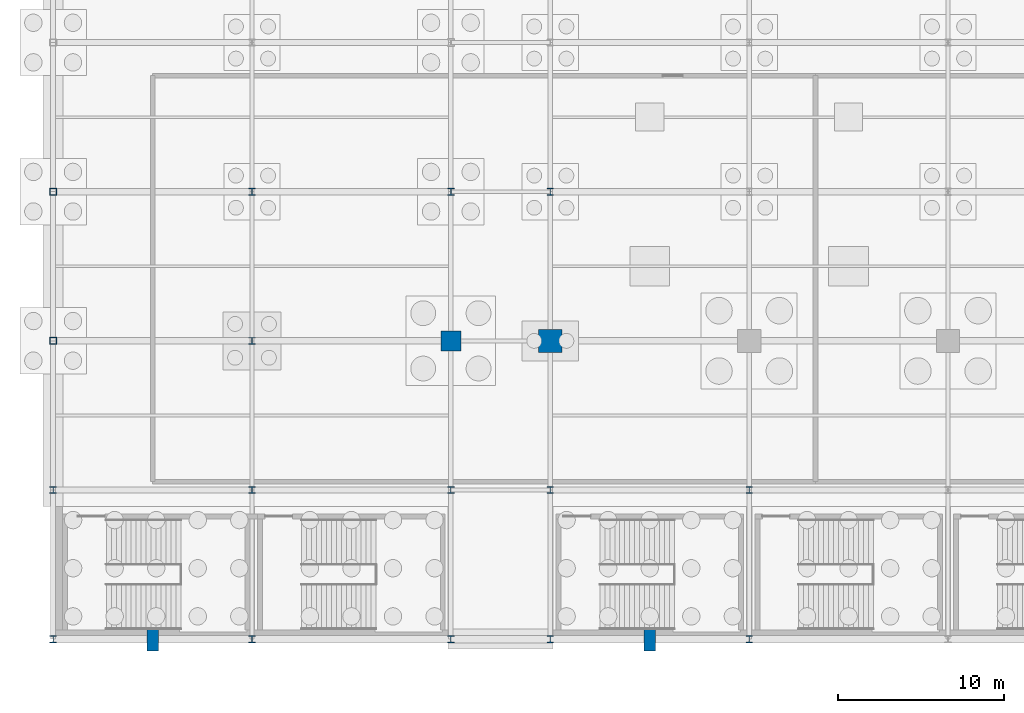
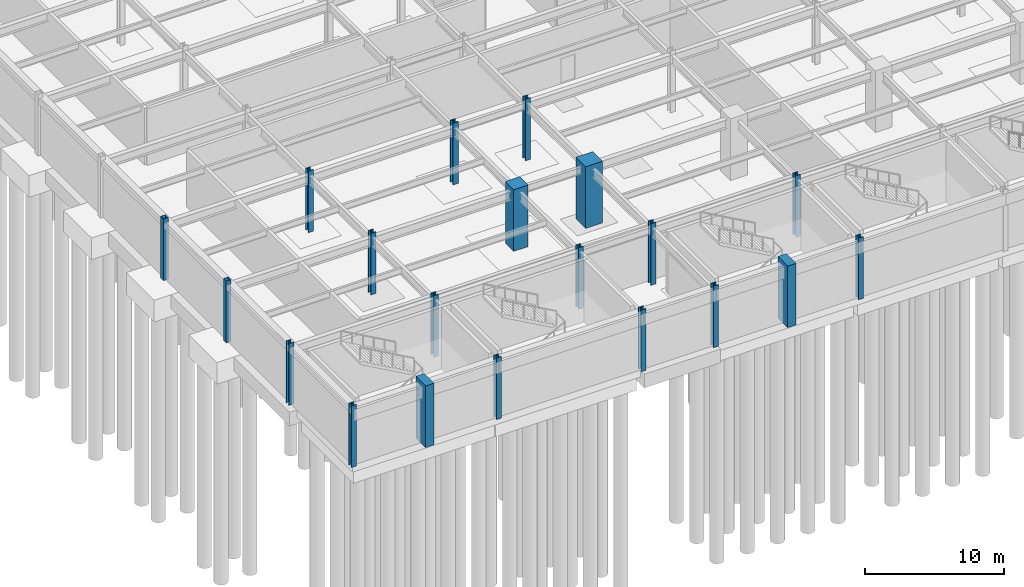
# One storey, part 8 of 47: 20 columns.
"""IFC4 building model written with IfcOpenShell, lengths in metres."""

import ifcopenshell
import ifcopenshell.guid

model = None  # the IFC model being written
_history = None  # IfcOwnerHistory: only IFC2X3 demands one
_inside = {}  # id of a spatial element -> (the spatial element, [elements in it])
_under = {}  # id of a project, library or spatial element -> (it, [spatial elements below it])
_declared = {}  # id of a project -> (the project, [libraries it declares])
_typed = {}  # id of a type object -> (the type object, [elements of that type])
_made_of = {}  # id of a material, layer set ... -> (it, [elements and type objects made of it])


def new_model(schema):
    """Start an empty IFC model of exactly this schema.

    Asked for "IFC4X3", IfcOpenShell would pick the latest addendum, in which some entities
    have other attributes; the version numbers below select the first issue.
    IFC2X3 requires an IfcOwnerHistory on every rooted entity: one is made here for all.
    """
    global model, _history
    if schema == "IFC4X3":
        model = ifcopenshell.file(schema_version=(4, 3, 0, 0))
    else:
        model = ifcopenshell.file(schema=schema)
    _inside.clear()
    _under.clear()
    _declared.clear()
    _typed.clear()
    _made_of.clear()
    _history = None
    if model.schema == "IFC2X3":
        org = make("IfcOrganization", Name="unknown")
        user = make(
            "IfcPersonAndOrganization",
            ThePerson=make("IfcPerson", FamilyName="unknown"),
            TheOrganization=org,
        )
        app = make(
            "IfcApplication",
            ApplicationDeveloper=org,
            Version="unknown",
            ApplicationFullName="unknown",
            ApplicationIdentifier="unknown",
        )
        _history = make(
            "IfcOwnerHistory",
            OwningUser=user,
            OwningApplication=app,
            ChangeAction="ADDED",
            CreationDate=0,
        )
    return model


def make(cls, **values):
    """One entity of the class cls with the attributes given. An attribute that is None is left unset."""
    return model.create_entity(
        cls, **{name: value for name, value in values.items() if value is not None}
    )


def rooted(cls, **values):
    """An entity with a GlobalId (a new one), such as an element, a storey or a relation."""
    return make(cls, GlobalId=ifcopenshell.guid.new(), OwnerHistory=_history, **values)


def si_unit(unit_type, name, prefix=None):
    """IfcSIUnit, for example si_unit("LENGTHUNIT", "METRE", prefix="MILLI")."""
    return make("IfcSIUnit", UnitType=unit_type, Prefix=prefix, Name=name)


def assignment(units):
    """IfcUnitAssignment: the units of a project."""
    return None if units is None else make("IfcUnitAssignment", Units=units)


def point(xyz):
    """IfcCartesianPoint."""
    return None if xyz is None else make("IfcCartesianPoint", Coordinates=xyz)


def direction(xyz):
    """IfcDirection."""
    return None if xyz is None else make("IfcDirection", DirectionRatios=xyz)


def frame(location, z_axis=None, x_axis=None):
    """IfcAxis2Placement3D, a coordinate frame: its origin and axes. An axis left out is left unset."""
    return make(
        "IfcAxis2Placement3D",
        Location=point(location),
        Axis=direction(z_axis),
        RefDirection=direction(x_axis),
    )


def frame_2d(location, x_axis=None):
    """IfcAxis2Placement2D, a coordinate frame in the plane: its origin and x axis."""
    return make(
        "IfcAxis2Placement2D", Location=point(location), RefDirection=direction(x_axis)
    )


def origin():
    """The frame at (0, 0, 0) with its axes left unset."""
    return frame((0.0, 0.0, 0.0))


def origin_2d():
    """The frame at (0, 0) in the plane with its x axis left unset."""
    return frame_2d((0.0, 0.0))


def place(relative_to, where):
    """IfcLocalPlacement: puts the frame where relative to a parent placement (None: the world)."""
    return make(
        "IfcLocalPlacement", PlacementRelTo=relative_to, RelativePlacement=where
    )


def context(
    kind, dimensions, precision=None, world=None, true_north=None, identifier=None
):
    """IfcGeometricRepresentationContext, for example the 3D "Model" context."""
    return make(
        "IfcGeometricRepresentationContext",
        ContextIdentifier=identifier,
        ContextType=kind,
        CoordinateSpaceDimension=dimensions,
        Precision=precision,
        WorldCoordinateSystem=world,
        TrueNorth=true_north,
    )


def subcontext(parent, identifier, kind, view, scale=None):
    """IfcGeometricRepresentationSubContext, for example "Body" below "Model"."""
    return make(
        "IfcGeometricRepresentationSubContext",
        ContextIdentifier=identifier,
        ContextType=kind,
        ParentContext=parent,
        TargetScale=scale,
        TargetView=view,
    )


def project(units=None, contexts=None):
    """IfcProject with its units and contexts."""
    return rooted(
        "IfcProject",
        Name="project",
        RepresentationContexts=contexts,
        UnitsInContext=assignment(units),
    )


def spatial(cls, under=None, at=None, **own):
    """A site, building, storey or space (cls), placed at a placement, below another one or the project."""
    s = rooted(cls, ObjectPlacement=at, **own)
    if under is not None:
        _under.setdefault(under.id(), (under, []))[1].append(s)
    return s


def profile(cls, at=None, kind="AREA", **sizes):
    """A parametric profile (cls). Its sizes go by their IFC names, for example OverallWidth=200.0."""
    return make(cls, ProfileType=kind, Position=at, **sizes)


def rectangle(**sizes):
    """IfcRectangleProfileDef."""
    return profile("IfcRectangleProfileDef", **sizes)


def hollow_rectangle(**sizes):
    """IfcRectangleHollowProfileDef."""
    return profile("IfcRectangleHollowProfileDef", **sizes)


def i_section(**sizes):
    """IfcIShapeProfileDef."""
    return profile("IfcIShapeProfileDef", **sizes)


def extrude(swept, where, along, depth):
    """IfcExtrudedAreaSolid: the profile swept, set in the frame where, extruded along a direction by depth."""
    return make(
        "IfcExtrudedAreaSolid",
        SweptArea=swept,
        Position=where,
        ExtrudedDirection=direction(along),
        Depth=depth,
    )


def shape(context_of_items, identifier, shape_type, items):
    """IfcShapeRepresentation: the items that make up one representation, for example the "Body"."""
    return make(
        "IfcShapeRepresentation",
        ContextOfItems=context_of_items,
        RepresentationIdentifier=identifier,
        RepresentationType=shape_type,
        Items=items,
    )


def material(Name=None, Category=None):
    """IfcMaterial."""
    return make("IfcMaterial", Name=Name, Category=Category)


def material_profile(
    of_material, cross_section, Name=None, Category=None, Priority=None
):
    """IfcMaterialProfile: a cross section and its material."""
    return make(
        "IfcMaterialProfile",
        Name=Name,
        Material=of_material,
        Profile=cross_section,
        Priority=Priority,
        Category=Category,
    )


def profile_set(profiles, Name=None, composite=None):
    """IfcMaterialProfileSet."""
    return make(
        "IfcMaterialProfileSet",
        Name=Name,
        MaterialProfiles=profiles,
        CompositeProfile=composite,
    )


def made_of(thing, what):
    """Note that an element or type object is made of a material, layer set ...; save() writes the relation."""
    if what is not None:
        _made_of.setdefault(what.id(), (what, []))[1].append(thing)
    return thing


def type_object(cls, material=None, **own):
    """A type object (cls), such as IfcWallType, which elements share."""
    return made_of(rooted(cls, **own), material)


def element(
    cls,
    number,
    at=None,
    inside=None,
    cuts=None,
    type_object=None,
    material=None,
    context=None,
    identifier="Body",
    shape_type=None,
    held_by="IfcProductDefinitionShape",
    body=None,
    shapes=None,
    **own,
):
    """One element of the class cls, such as IfcWall. Its Tag is "e" and its number.

    at: its placement. inside: the storey or other place that contains it. cuts: it is an
    opening in that element (IfcRelVoidsElement). A single representation is given by context,
    identifier, shape_type and body (its items); several are given by shapes. held_by: the class
    of the entity that holds the representations. save() writes the other relations.
    """
    e = rooted(cls, Tag="e%d" % number, ObjectPlacement=at, **own)
    if body is not None:
        shapes = [shape(context, identifier, shape_type, body)]
    if shapes is not None:
        e.Representation = make(held_by, Representations=shapes)
    if inside is not None:
        _inside.setdefault(inside.id(), (inside, []))[1].append(e)
    if cuts is not None:
        rooted(
            "IfcRelVoidsElement", RelatingBuildingElement=cuts, RelatedOpeningElement=e
        )
    if type_object is not None:
        _typed.setdefault(type_object.id(), (type_object, []))[1].append(e)
    return made_of(e, material)


def aggregate(whole, parts):
    """IfcRelAggregates: a whole, such as a stair, and the parts it consists of."""
    return rooted("IfcRelAggregates", RelatingObject=whole, RelatedObjects=parts)


def save(model, path):
    """Write the relations noted so far, then the file.

    IfcRelAggregates (storeys below a building ...), IfcRelContainedInSpatialStructure (elements
    in a storey), IfcRelDefinesByType, IfcRelAssociatesMaterial and IfcRelDeclares: one each for
    every whole, place, type object, material and project.
    """
    for whole, parts in _under.values():
        aggregate(whole, parts)
    for where, things in _inside.values():
        rooted(
            "IfcRelContainedInSpatialStructure",
            RelatedElements=things,
            RelatingStructure=where,
        )
    for kind, things in _typed.values():
        rooted("IfcRelDefinesByType", RelatedObjects=things, RelatingType=kind)
    for what, things in _made_of.values():
        rooted("IfcRelAssociatesMaterial", RelatedObjects=things, RelatingMaterial=what)
    for by, libraries in _declared.values():
        rooted("IfcRelDeclares", RelatingContext=by, RelatedDefinitions=libraries)
    model.write(path)


model = new_model("IFC4")

# Units and contexts
model_context = context("Model", 3, precision=1e-05, world=origin(), true_north=direction((0.0, 1.0)))
body_context = subcontext(model_context, "Body", "Model", "MODEL_VIEW")
ifc_project = project(units=[si_unit("LENGTHUNIT", "METRE"), si_unit("AREAUNIT", "SQUARE_METRE"), si_unit("VOLUMEUNIT", "CUBIC_METRE"), si_unit("PLANEANGLEUNIT", "RADIAN"), si_unit("MASSUNIT", "GRAM", prefix="KILO")], contexts=[model_context])

# Site, building, storey
site_placement = place(None, origin())
site = spatial("IfcSite", under=ifc_project, at=site_placement, CompositionType="ELEMENT")
building_placement = place(site_placement, origin())
building = spatial("IfcBuilding", under=site, at=building_placement, Name="Kaldorvane Square Convention Centre", CompositionType="ELEMENT")
storey_placement = place(building_placement, frame((0.0, 0.0, -5.399993896484375)))
storey = spatial("IfcBuildingStorey", under=building, at=storey_placement, Name="B01", CompositionType="ELEMENT", Elevation=-5.399993896484375)

# Columns
ifc_material_1 = material(Name="Steel ASTM A500 Gr. C", Category="steel")
ifc_material_profile_1 = material_profile(ifc_material_1, hollow_rectangle(XDim=0.406402587890625, YDim=0.406402587890625, WallThickness=0.014801025390625, at=origin_2d()), Name="HSS16X16X5/8")
ifc_profile_set_1 = profile_set([ifc_material_profile_1], Name="Steel ASTM A500 Gr. C")
column_type_1 = type_object("IfcColumnType", Name="COL-HSS-16", PredefinedType="COLUMN", material=ifc_profile_set_1)
for number, where, z_axis, x_axis, name in (
    (1, (0.0, 18.0, 0.0), (0.0, 0.0, 1.0), (1.0, 0.0, 0.0), "Column SC-14 (B01)"),
    (2, (0.0, 27.0, 0.0), (0.0, 0.0, 1.0), (1.0, 0.0, 0.0), "Column SC-14 (B01)"),
):
    element("IfcColumn", number, at=place(storey_placement, frame(where, z_axis=z_axis, x_axis=x_axis)), inside=storey, type_object=column_type_1, Name=name, PredefinedType="COLUMN", context=body_context, shape_type="SweptSolid", body=[
        extrude(hollow_rectangle(XDim=0.406402587890625, YDim=0.406402587890625, WallThickness=0.014801025390625, at=origin_2d()), origin(), (0.0, 0.0, 1.0), 5.399993896484375),
    ])
ifc_material_2 = material(Name="Concrete f'c = 55 MPa (Normalweight)", Category="concrete")
ifc_material_profile_2 = material_profile(ifc_material_2, rectangle(XDim=1.1999969482421875, YDim=1.1999969482421875, at=origin_2d()), Name="RC1200X1200")
ifc_profile_set_2 = profile_set([ifc_material_profile_2], Name="Concrete f'c = 55 MPa (Normalweight)")
column_type_2 = type_object("IfcColumnType", Name="COL-MEGA-1200", PredefinedType="COLUMN", material=ifc_profile_set_2)
column_1_placement = place(storey_placement, frame((24.0, 18.0, 0.0), z_axis=(0.0, 0.0, 1.0), x_axis=(1.0, 0.0, 0.0)))
element("IfcColumn", 3, at=column_1_placement, inside=storey, type_object=column_type_2, Name="Column MC-02 (B01)", PredefinedType="COLUMN", context=body_context, shape_type="SweptSolid", body=[
    extrude(rectangle(XDim=1.1999969482421875, YDim=1.1999969482421875, at=origin_2d()), origin(), (0.0, 0.0, 1.0), 5.399993896484375),
])
ifc_material_profile_3 = material_profile(ifc_material_2, rectangle(XDim=1.399993896484375, YDim=1.399993896484375, at=origin_2d()), Name="RC1400X1400")
ifc_profile_set_3 = profile_set([ifc_material_profile_3], Name="Concrete f'c = 55 MPa (Normalweight)")
column_type_3 = type_object("IfcColumnType", Name="COL-MEGA-1400", PredefinedType="COLUMN", material=ifc_profile_set_3)
column_2_placement = place(storey_placement, frame((30.0, 18.0, 0.0), z_axis=(0.0, 0.0, 1.0), x_axis=(1.0, 0.0, 0.0)))
element("IfcColumn", 4, at=column_2_placement, inside=storey, type_object=column_type_3, Name="Column MC-01 (B01)", PredefinedType="COLUMN", context=body_context, shape_type="SweptSolid", body=[
    extrude(rectangle(XDim=1.399993896484375, YDim=1.399993896484375, at=origin_2d()), origin(), (0.0, 0.0, 1.0), 5.399993896484375),
])
ifc_material_3 = material(Name="Steel ASTM A992 Gr. 50", Category="steel")
ifc_material_profile_4 = material_profile(ifc_material_3, i_section(OverallWidth=0.412200927734375, OverallDepth=0.4347991943359375, WebThickness=0.035797119140625, FlangeThickness=0.057403564453125, FilletRadius=0.0305023193359375, at=origin_2d()), Name="W14X311")
ifc_profile_set_4 = profile_set([ifc_material_profile_4], Name="Steel ASTM A992 Gr. 50")
column_type_4 = type_object("IfcColumnType", Name="COL-STL-311", PredefinedType="COLUMN", material=ifc_profile_set_4)
for number, where, z_axis, x_axis, name in (
    (5, (0.0, 0.0, 0.0), (0.0, 0.0, 1.0), (1.0, 0.0, 0.0), "Column SC-06 (B01)"),
    (6, (0.0, 9.0, 0.0), (0.0, 0.0, 1.0), (1.0, 0.0, 0.0), "Column SC-06 (B01)"),
    (7, (12.0, 0.0, 0.0), (0.0, 0.0, 1.0), (1.0, 0.0, 0.0), "Column SC-06 (B01)"),
    (8, (12.0, 9.0, 0.0), (0.0, 0.0, 1.0), (1.0, 0.0, 0.0), "Column SC-06 (B01)"),
    (9, (12.0, 18.0, 0.0), (0.0, 0.0, 1.0), (1.0, 0.0, 0.0), "Column SC-06 (B01)"),
    (10, (12.0, 27.0, 0.0), (0.0, 0.0, 1.0), (1.0, 0.0, 0.0), "Column SC-06 (B01)"),
    (11, (24.0, 0.0, 0.0), (0.0, 0.0, 1.0), (1.0, 0.0, 0.0), "Column SC-06 (B01)"),
    (12, (24.0, 9.0, 0.0), (0.0, 0.0, 1.0), (1.0, 0.0, 0.0), "Column SC-06 (B01)"),
    (13, (30.0, 0.0, 0.0), (0.0, 0.0, 1.0), (1.0, 0.0, 0.0), "Column SC-06 (B01)"),
    (14, (30.0, 9.0, 0.0), (0.0, 0.0, 1.0), (1.0, 0.0, 0.0), "Column SC-06 (B01)"),
    (15, (30.0, 27.0, 0.0), (0.0, 0.0, 1.0), (1.0, 0.0, 0.0), "Column SC-06 (B01)"),
    (16, (42.0, 0.0, 0.0), (0.0, 0.0, 1.0), (1.0, 0.0, 0.0), "Column SC-06 (B01)"),
    (17, (42.0, 9.0, 0.0), (0.0, 0.0, 1.0), (1.0, 0.0, 0.0), "Column SC-06 (B01)"),
):
    element("IfcColumn", number, at=place(storey_placement, frame(where, z_axis=z_axis, x_axis=x_axis)), inside=storey, type_object=column_type_4, Name=name, PredefinedType="COLUMN", context=body_context, shape_type="SweptSolid", body=[
        extrude(i_section(OverallWidth=0.412200927734375, OverallDepth=0.4347991943359375, WebThickness=0.035797119140625, FlangeThickness=0.057403564453125, FilletRadius=0.0305023193359375, at=origin_2d()), origin(), (0.0, 0.0, 1.0), 5.399993896484375),
    ])
ifc_material_profile_5 = material_profile(ifc_material_3, i_section(OverallWidth=0.424102783203125, OverallDepth=0.4741973876953125, WebThickness=0.047607421875, FlangeThickness=0.0771026611328125, FilletRadius=0.0305023193359375, at=origin_2d()), Name="W14X426")
ifc_profile_set_5 = profile_set([ifc_material_profile_5], Name="Steel ASTM A992 Gr. 50")
column_type_5 = type_object("IfcColumnType", Name="COL-STL-426", PredefinedType="COLUMN", material=ifc_profile_set_5)
column_3_placement = place(storey_placement, frame((24.0, 27.0, 0.0), z_axis=(0.0, 0.0, 1.0), x_axis=(1.0, 0.0, 0.0)))
element("IfcColumn", 18, at=column_3_placement, inside=storey, type_object=column_type_5, Name="Column SC-04 (B01)", PredefinedType="COLUMN", context=body_context, shape_type="SweptSolid", body=[
    extrude(i_section(OverallWidth=0.424102783203125, OverallDepth=0.4741973876953125, WebThickness=0.047607421875, FlangeThickness=0.0771026611328125, FilletRadius=0.0305023193359375, at=origin_2d()), origin(), (0.0, 0.0, 1.0), 5.399993896484375),
])
ifc_material_profile_6 = material_profile(ifc_material_2, rectangle(XDim=0.6999969482421875, YDim=1.399993896484375, at=origin_2d()), Name="PIL1400X700")
ifc_profile_set_6 = profile_set([ifc_material_profile_6], Name="Concrete f'c = 55 MPa (Normalweight)")
column_type_6 = type_object("IfcColumnType", Name="PIL-BRUT-1400", PredefinedType="PILASTER", material=ifc_profile_set_6)
for number, where, z_axis, x_axis, name in (
    (19, (6.0, 0.0, 0.0), (0.0, 0.0, 1.0), (1.0, 0.0, 0.0), "Brutalist Colonnade Pilaster (B01)"),
    (20, (36.0, 0.0, 0.0), (0.0, 0.0, 1.0), (1.0, 0.0, 0.0), "Brutalist Colonnade Pilaster (B01)"),
):
    element("IfcColumn", number, at=place(storey_placement, frame(where, z_axis=z_axis, x_axis=x_axis)), inside=storey, type_object=column_type_6, Name=name, PredefinedType="PILASTER", context=body_context, shape_type="SweptSolid", body=[
        extrude(rectangle(XDim=0.6999969482421875, YDim=1.399993896484375, at=origin_2d()), origin(), (0.0, 0.0, 1.0), 5.399993896484375),
    ])

save(model, "model.ifc")
